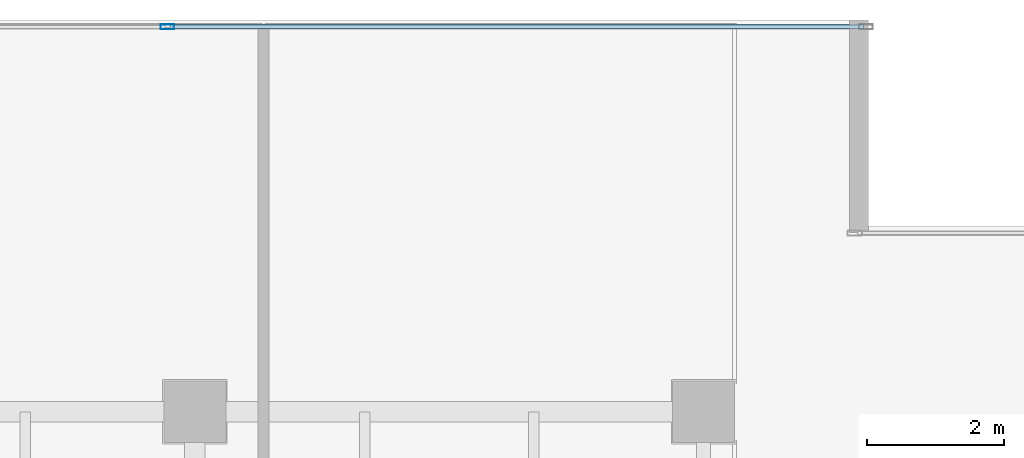
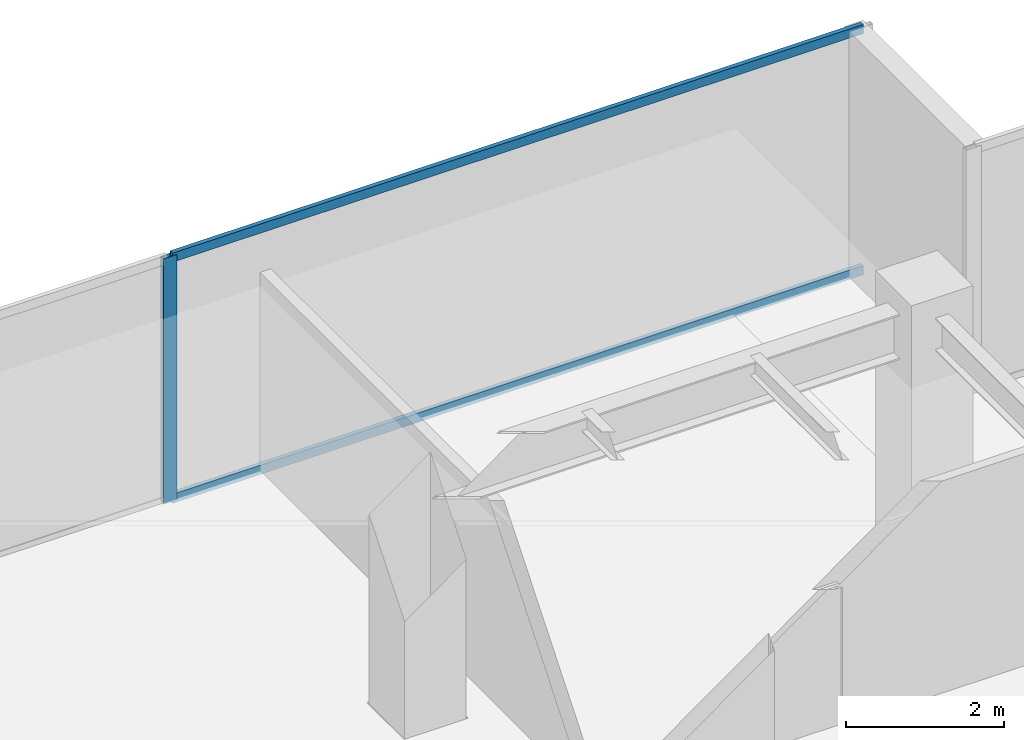
# One storey, part 20 of 33: 3 members, 1 element without a shape of its own.
"""IFC4 building model written with IfcOpenShell, lengths in metres."""

from ifc_helpers import new_model, si_unit, direction, frame, origin, origin_2d, place, context, subcontext, project, spatial, hollow_rectangle, extrude, source, transform, mapped, material, layer, layer_set, material_profile, profile_set, type_object, type_shapes, element, aggregate, save


model = new_model("IFC4")

# Units and contexts
model_context = context("Model", 3, precision=1e-05, world=origin(), true_north=direction((0.0, 1.0)))
body_context = subcontext(model_context, "Body", "Model", "MODEL_VIEW")
ifc_project = project(units=[si_unit("LENGTHUNIT", "METRE"), si_unit("AREAUNIT", "SQUARE_METRE"), si_unit("VOLUMEUNIT", "CUBIC_METRE"), si_unit("PLANEANGLEUNIT", "RADIAN"), si_unit("MASSUNIT", "GRAM", prefix="KILO")], contexts=[model_context])

# Site, building, storey
site_placement = place(None, origin())
site = spatial("IfcSite", under=ifc_project, at=site_placement, CompositionType="ELEMENT")
building_placement = place(site_placement, origin())
building = spatial("IfcBuilding", under=site, at=building_placement, Name="Haelvirn Gate Laboratories", CompositionType="ELEMENT")
storey_placement = place(building_placement, frame((0.0, 0.0, 137.89990234375)))
storey = spatial("IfcBuildingStorey", under=building, at=storey_placement, Name="L33", CompositionType="ELEMENT", Elevation=137.89990234375)

# Curtain wall, members
ifc_material_1 = material(Name="Anodised bronze unitised aluminium & triple low-E glass", Category="aluminium")
ifc_layer = layer(ifc_material_1, 0.179931640625, Name="CW-SYS-3")
ifc_layer_set = layer_set([ifc_layer], Name="Anodised bronze unitised aluminium & triple low-E glass")
curtain_wall_type = type_object("IfcCurtainWallType", Name="CW-SYS-3", PredefinedType="NOTDEFINED", material=ifc_layer_set)
curtain_wall_placement = place(storey_placement, origin())
curtain_wall = element("IfcCurtainWall", 1, at=curtain_wall_placement, inside=storey, type_object=curtain_wall_type, Name="L33 Unitised Curtain Wall CW-L33-P0-E10-1", PredefinedType="NOTDEFINED")
ifc_material_2 = material(Name="Extruded aluminium 6063-T6 (anodised bronze)", Category="aluminium")
ifc_material_profile_1 = material_profile(ifc_material_2, hollow_rectangle(XDim=0.06494140625, YDim=0.139892578125, WallThickness=0.00390625, at=origin_2d()), Name="CWT-140x65x4")
ifc_profile_set_1 = profile_set([ifc_material_profile_1], Name="Extruded aluminium 6063-T6 (anodised bronze)")
member_type_1 = type_object("IfcMemberType", Name="CWT-T140", PredefinedType="USERDEFINED", material=ifc_profile_set_1)
shared_shape_1 = source(origin(), body_context, "Body", "SweptSolid", [
    extrude(hollow_rectangle(XDim=0.06494140625, YDim=0.139892578125, WallThickness=0.00390625, at=origin_2d()), origin(), (0.0, 0.0, 1.0), 10.087646484375),
])
type_shapes(member_type_1, [shared_shape_1])
member_1_placement = place(storey_placement, frame((59.637451171875, 47.199951171875, 0.03271484375), z_axis=(1.0, 0.0, 0.0), x_axis=(0.0, 1.0, 0.0)))
member_1 = element("IfcMember", 2, at=member_1_placement, type_object=member_type_1, Name="CW3 transom 2.1", ObjectType="TRANSOM", PredefinedType="USERDEFINED", context=body_context, shape_type="MappedRepresentation", body=[
    mapped(shared_shape_1, transform((0.0, 0.0, 0.0), scale=1.0)),
])
member_2_placement = place(storey_placement, frame((59.637451171875, 47.199951171875, 3.757568359375), z_axis=(1.0, 0.0, 0.0), x_axis=(0.0, 1.0, 0.0)))
member_2 = element("IfcMember", 3, at=member_2_placement, type_object=member_type_1, Name="CW3 transom 2.2", ObjectType="TRANSOM", PredefinedType="USERDEFINED", context=body_context, shape_type="MappedRepresentation", body=[
    mapped(shared_shape_1, transform((0.0, 0.0, 0.0), scale=1.0)),
])
ifc_material_profile_2 = material_profile(ifc_material_2, hollow_rectangle(XDim=0.074951171875, YDim=0.199951171875, WallThickness=0.0048828125, at=origin_2d()), Name="CWM-200x75x5")
ifc_profile_set_2 = profile_set([ifc_material_profile_2], Name="Extruded aluminium 6063-T6 (anodised bronze)")
member_type_2 = type_object("IfcMemberType", Name="CWM-T200", PredefinedType="MULLION", material=ifc_profile_set_2)
shared_shape_2 = source(origin(), body_context, "Body", "SweptSolid", [
    extrude(hollow_rectangle(XDim=0.074951171875, YDim=0.199951171875, WallThickness=0.0048828125, at=origin_2d()), origin(), (0.0, 0.0, 1.0), 3.7900390625),
])
type_shapes(member_type_2, [shared_shape_2])
member_3_placement = place(storey_placement, frame((59.60009765625, 47.199951171875, 0.0), z_axis=(0.0, 0.0, 1.0), x_axis=(0.0, 1.0, 0.0)))
member_3 = element("IfcMember", 4, at=member_3_placement, type_object=member_type_2, Name="CW3 mullion 2", PredefinedType="MULLION", context=body_context, shape_type="MappedRepresentation", body=[
    mapped(shared_shape_2, transform((0.0, 0.0, 0.0), scale=1.0)),
])
aggregate(curtain_wall, [member_3, member_1, member_2])

save(model, "model.ifc")
